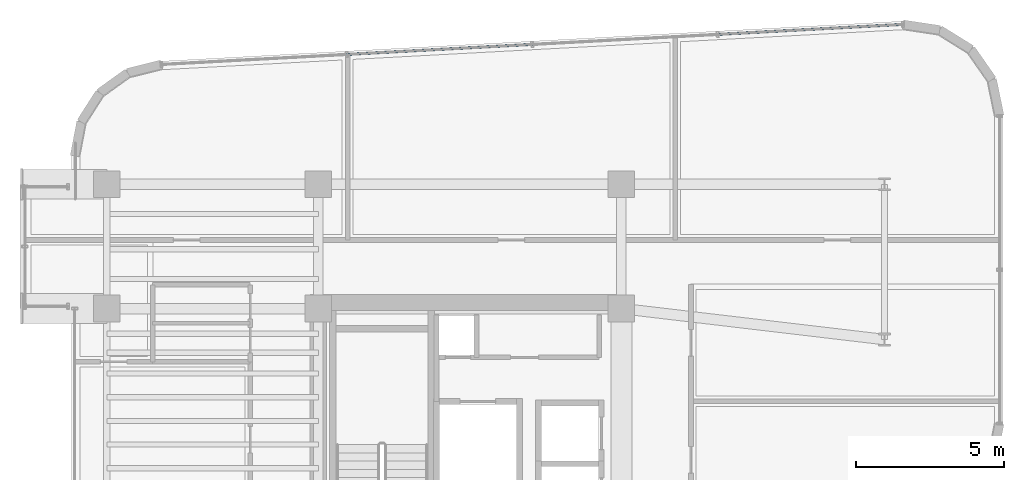
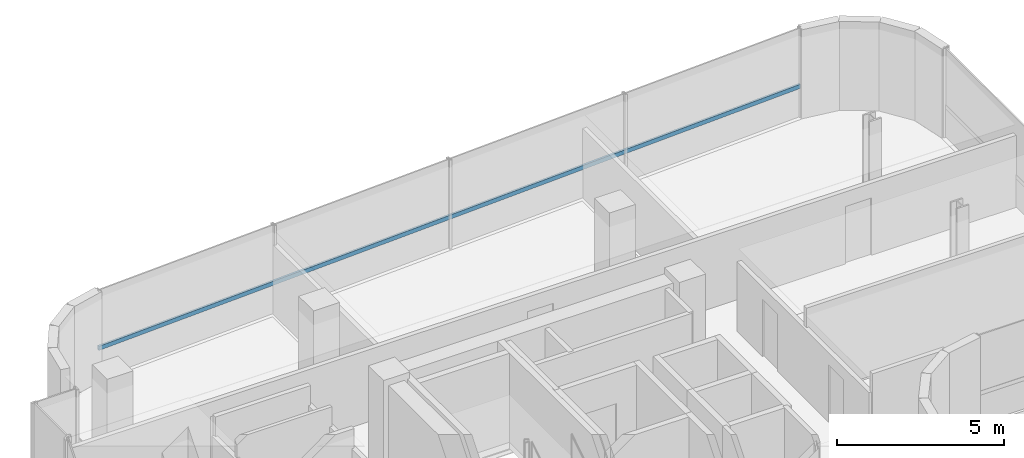
# One storey, part 14 of 21: 1 member, 1 element without a shape of its own.
"""IFC4 building model written with IfcOpenShell, lengths in metres."""

from ifc_helpers import new_model, si_unit, direction, frame, origin, origin_2d, place, context, subcontext, project, spatial, hollow_rectangle, extrude, source, transform, mapped, material, material_profile, profile_set, type_object, element, aggregate, save


model = new_model("IFC4")

# Units and contexts
model_context = context("Model", 3, precision=1e-05, world=origin(), true_north=direction((0.0, 1.0)))
body_context = subcontext(model_context, "Body", "Model", "MODEL_VIEW")
ifc_project = project(units=[si_unit("LENGTHUNIT", "METRE"), si_unit("AREAUNIT", "SQUARE_METRE"), si_unit("VOLUMEUNIT", "CUBIC_METRE"), si_unit("PLANEANGLEUNIT", "RADIAN"), si_unit("MASSUNIT", "GRAM", prefix="KILO")], contexts=[model_context])

# Site, building, storey
site_placement = place(None, origin())
site = spatial("IfcSite", under=ifc_project, at=site_placement, CompositionType="ELEMENT")
building_placement = place(site_placement, origin())
building = spatial("IfcBuilding", under=site, at=building_placement, Name="Valdorenza Pilgrim Sanctuary Tower", CompositionType="ELEMENT")
storey_placement = place(building_placement, frame((0.0, 0.0, 219.5)))
storey = spatial("IfcBuildingStorey", under=building, at=storey_placement, Name="L56", CompositionType="ELEMENT", Elevation=219.5)

# Curtain wall, member
ifc_material_1 = material(Name="Curtain-wall IGU glazing", Category="glass")
curtain_wall_type = type_object("IfcCurtainWallType", Name="CW-SYS-02", PredefinedType="NOTDEFINED", material=ifc_material_1)
curtain_wall_placement = place(storey_placement, origin())
curtain_wall = element("IfcCurtainWall", 1, at=curtain_wall_placement, inside=storey, type_object=curtain_wall_type, Name="L56 Curtain Wall CW-L56-1-6", PredefinedType="NOTDEFINED")
ifc_material_2 = material(Name="Anodised aluminium AW-6060", Category="aluminium")
ifc_material_profile = material_profile(ifc_material_2, hollow_rectangle(XDim=0.074951171875, YDim=0.14990234375, WallThickness=0.00390625, at=origin_2d()), Name="ALU-T 150x75x4")
ifc_profile_set = profile_set([ifc_material_profile], Name="Anodised aluminium AW-6060")
member_type = type_object("IfcMemberType", Name="CW-TRN-02", PredefinedType="USERDEFINED", material=ifc_profile_set)
shared_shape = source(origin(), body_context, "Body", "SweptSolid", [
    extrude(hollow_rectangle(XDim=0.074951171875, YDim=0.14990234375, WallThickness=0.00390625, at=origin_2d()), origin(), (0.0, 0.0, 1.0), 25.114990234375),
])
member_placement = place(storey_placement, frame((-27.9560546875, 18.85400390625, 1.1201171875), z_axis=(0.998546716184, 0.053893001378, 0.0), x_axis=(-0.053893001378, 0.998546716184, 0.0)))
member = element("IfcMember", 2, at=member_placement, type_object=member_type, Name="CW-L56-1-6 Transom 1", ObjectType="TRANSOM", PredefinedType="USERDEFINED", context=body_context, shape_type="MappedRepresentation", body=[
    mapped(shared_shape, transform((0.0, 0.0, 0.0), x_axis=(1.0, 0.0, 0.0), y_axis=(0.0, 1.0, 0.0), z_axis=(0.0, 0.0, 1.0), scale=1.0)),
])
aggregate(curtain_wall, [member])

save(model, "model.ifc")
